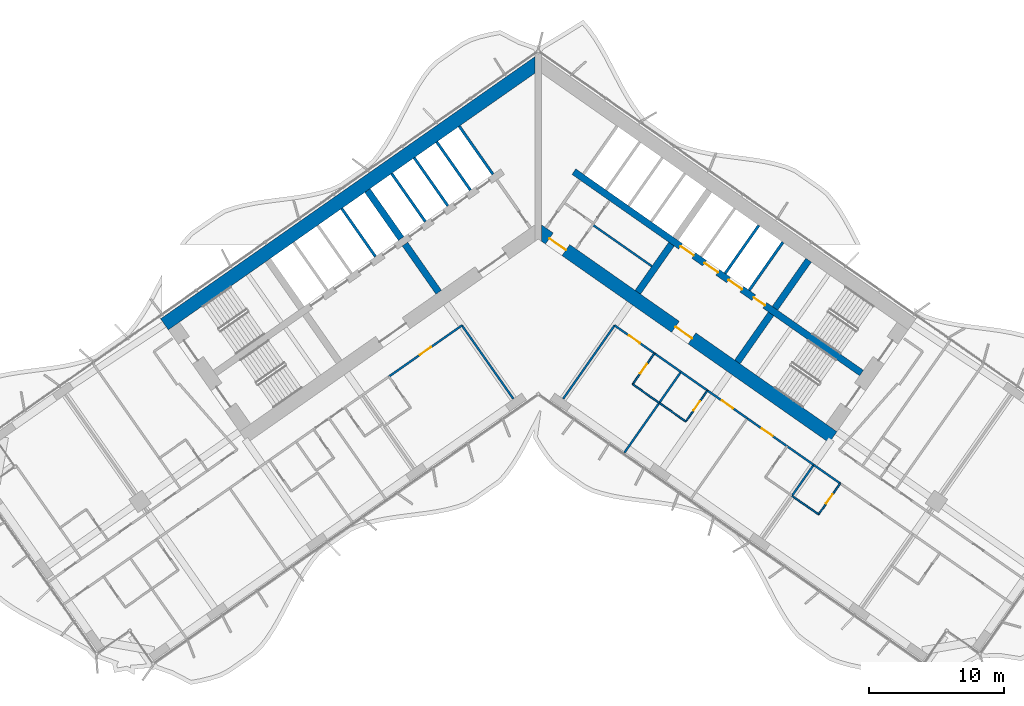
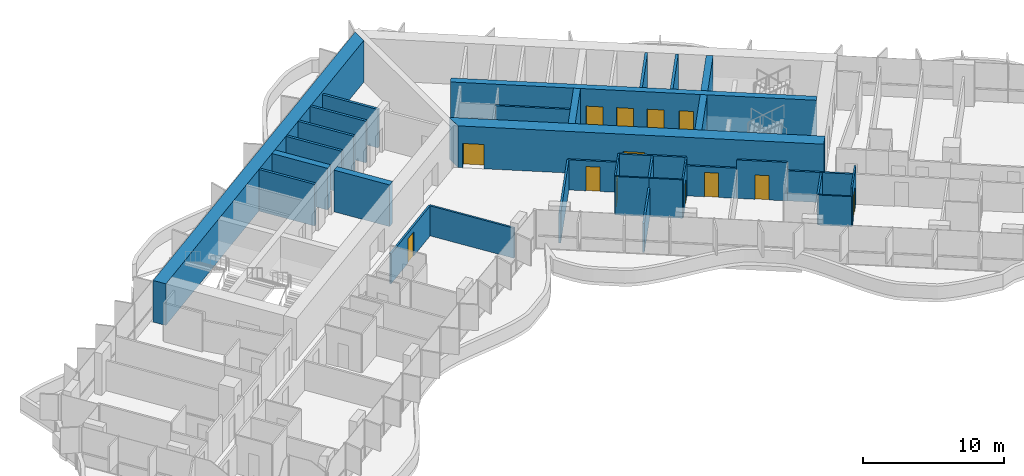
# One storey, part 14 of 23: 35 walls, 13 doors, 13 openings.
"""IFC4 building model written with IfcOpenShell, lengths in metres."""

from ifc_helpers import new_model, si_unit, direction, frame, frame_2d, origin, place, context, subcontext, project, spatial, polyline, rectangle, outline, extrude, material, layer, layer_set, type_object, element, fill, save


model = new_model("IFC4")

# Units and contexts
model_context = context("Model", 3, precision=1e-05, world=origin(), true_north=direction((0.0, 1.0)))
body_context = subcontext(model_context, "Body", "Model", "MODEL_VIEW")
ifc_project = project(units=[si_unit("LENGTHUNIT", "METRE"), si_unit("AREAUNIT", "SQUARE_METRE"), si_unit("VOLUMEUNIT", "CUBIC_METRE"), si_unit("PLANEANGLEUNIT", "RADIAN"), si_unit("MASSUNIT", "GRAM", prefix="KILO")], contexts=[model_context])

# Site, building, storey
site_placement = place(None, origin())
site = spatial("IfcSite", under=ifc_project, at=site_placement, CompositionType="ELEMENT")
building_placement = place(site_placement, origin())
building = spatial("IfcBuilding", under=site, at=building_placement, Name="Tel Ilan Convention Tower", CompositionType="ELEMENT")
storey_placement = place(building_placement, frame((0.0, 0.0, 108.5)))
storey = spatial("IfcBuildingStorey", under=building, at=storey_placement, Name="L23", CompositionType="ELEMENT", Elevation=108.5)

# Walls
ifc_material_1 = material(Name="Gypsum Plasterboard on Steel Stud", Category="steel")
ifc_layer_1 = layer(ifc_material_1, 0.14990234375)
ifc_layer_set_1 = layer_set([ifc_layer_1], Name="Core Room Partition Wall 150 mm EI 60")
wall_type_1 = type_object("IfcWallType", Name="Core Room Partition Wall 150 mm EI 60", PredefinedType="PARTITIONING", material=ifc_layer_set_1)
wall_1_placement = place(storey_placement, frame((4.03271484375, -0.16845703125, 0.0), z_axis=(0.0, 0.0, 1.0), x_axis=(0.819146154531, -0.573584847705, 0.0)))
element("IfcWall", 1, at=wall_1_placement, inside=storey, type_object=wall_type_1, Name="L23 core wall wc-h2", PredefinedType="PARTITIONING", context=body_context, shape_type="SweptSolid", body=[
    extrude(rectangle(XDim=5.349853515625, YDim=0.14990234375, at=frame_2d((2.6748046875, 0.0))), origin(), (0.0, 0.0, 1.0), 3.320068359375),
])
ifc_material_2 = material(Name="Concrete C30/37", Category="concrete")
ifc_layer_2 = layer(ifc_material_2, 0.199951171875)
ifc_layer_set_2 = layer_set([ifc_layer_2], Name="Core Service Room Wall 200 mm C30/37")
wall_type_2 = type_object("IfcWallType", Name="Core Service Room Wall 200 mm C30/37", PredefinedType="SOLIDWALL", material=ifc_layer_set_2)
wall_2_placement = place(storey_placement, frame((-3.355224609375, 3.5712890625, 0.0), z_axis=(0.0, 0.0, 1.0), x_axis=(-0.57356780395, 0.819158088694, 0.0)))
element("IfcWall", 2, at=wall_2_placement, inside=storey, type_object=wall_type_2, Name="L23 core wall apex-W-b", PredefinedType="SOLIDWALL", context=body_context, shape_type="SweptSolid", body=[
    extrude(rectangle(XDim=4.35009765625, YDim=0.199951171875, at=frame_2d((2.175048828125, 0.0))), origin(), (0.0, 0.0, 1.0), 3.320068359375),
])
ifc_material_3 = material(Name="Concrete C60/75", Category="concrete")
ifc_layer_3 = layer(ifc_material_3, 1.0)
ifc_layer_set_3 = layer_set([ifc_layer_3], Name="Core Shear Wall 1000 mm C60/75")
wall_type_3 = type_object("IfcWallType", Name="Core Shear Wall 1000 mm C60/75", PredefinedType="SHEAR", material=ifc_layer_set_3)
wall_3_placement = place(storey_placement, frame((0.036865234375, 11.8671875, 0.0), z_axis=(0.0, 0.0, 1.0), x_axis=(-0.819155306259, -0.573571777746, 0.0)))
element("IfcWall", 3, at=wall_3_placement, inside=storey, type_object=wall_type_3, Name="L23 core wall W-back", PredefinedType="SHEAR", context=body_context, shape_type="SweptSolid", body=[
    extrude(outline(polyline([(33.8369140625, 0.5), (0.7001953125, 0.499755859375), (0.0, -0.5), (33.8369140625, -0.5), (33.8369140625, 0.5)])), origin(), (0.0, 0.0, 1.0), 3.60009765625),
])

# Wall, openings, doors
wall_4_placement = place(storey_placement, frame((-0.036865234375, -0.584716796875, 0.0), z_axis=(0.0, 0.0, 1.0), x_axis=(0.819157152511, -0.573569140985, 0.0)))
wall_4 = element("IfcWall", 4, at=wall_4_placement, inside=storey, type_object=wall_type_3, Name="L23 core wall E-front", PredefinedType="SHEAR", context=body_context, shape_type="SweptSolid", body=[
    extrude(outline(polyline([(26.69482421875, 0.499755859375), (0.0, 0.5), (0.7001953125, -0.499755859375), (26.69482421875, -0.500244140625), (26.69482421875, 0.499755859375)])), origin(), (0.0, 0.0, 1.0), 3.60009765625),
])
opening_1_placement = place(wall_4_placement, frame((1.044921875, 0.0, 0.0)))
opening_1 = element("IfcOpeningElement", 5, at=opening_1_placement, cuts=wall_4, Name="Opening CD1903", PredefinedType="OPENING", context=body_context, shape_type="SweptSolid", body=[
    extrude(rectangle(XDim=1.5, YDim=2.10009765625, at=frame_2d((0.75, 1.050048828125))), frame((0.0, 0.510009765625, 0.0), z_axis=(0.0, -1.0, 0.0), x_axis=(1.0, 0.0, 0.0)), (0.0, 0.0, 1.0), 1.02001953125),
])
opening_2_placement = place(wall_4_placement, frame((12.44482421875, 0.0, 0.0)))
opening_2 = element("IfcOpeningElement", 6, at=opening_2_placement, cuts=wall_4, Name="Opening CD1904", PredefinedType="OPENING", context=body_context, shape_type="SweptSolid", body=[
    extrude(rectangle(XDim=1.5, YDim=2.10009765625, at=frame_2d((0.75, 1.050048828125))), frame((0.0, 0.510009765625, 0.0), z_axis=(0.0, -1.0, 0.0), x_axis=(1.0, 0.0, 0.0)), (0.0, 0.0, 1.0), 1.02001953125),
])
ifc_material_4 = material(Name="Glazed Aluminium Door Leaf", Category="aluminium")
door_type_1 = type_object("IfcDoorType", Name="Lobby Opening Door 1500 x 2100 FD60S", OperationType="NOTDEFINED", PredefinedType="DOOR", material=ifc_material_4)
door_1_placement = place(opening_2_placement, origin())
door_1 = element("IfcDoor", 7, at=door_1_placement, inside=storey, type_object=door_type_1, Name="Firefighting Lobby door", OperationType="DOUBLE_DOOR_SINGLE_SWING", OverallHeight=2.10009765625, OverallWidth=1.5, PredefinedType="DOOR", context=body_context, shape_type="SweptSolid", body=[
    extrude(rectangle(XDim=1.5, YDim=2.10009765625, at=frame_2d((0.75, 1.050048828125))), frame((0.0, 0.02490234375, 0.0), z_axis=(0.0, -1.0, 0.0), x_axis=(1.0, 0.0, 0.0)), (0.0, 0.0, 1.0), 0.050048828125),
])
fill(opening_2, door_1)
ifc_material_5 = material(Name="Laminated Timber Door Leaf", Category="wood")
door_type_2 = type_object("IfcDoorType", Name="Toilet Door 1500 x 2100 FD30S", OperationType="NOTDEFINED", PredefinedType="DOOR", material=ifc_material_5)
door_2_placement = place(opening_1_placement, origin())
door_2 = element("IfcDoor", 8, at=door_2_placement, inside=storey, type_object=door_type_2, Name="WC Lobby door", OperationType="SINGLE_SWING_RIGHT", OverallHeight=2.10009765625, OverallWidth=1.5, PredefinedType="DOOR", context=body_context, shape_type="SweptSolid", body=[
    extrude(rectangle(XDim=1.5, YDim=2.10009765625, at=frame_2d((0.75, 1.050048828125))), frame((0.0, 0.02490234375, 0.0), z_axis=(0.0, -1.0, 0.0), x_axis=(1.0, 0.0, 0.0)), (0.0, 0.0, 1.0), 0.050048828125),
])
fill(opening_1, door_2)

# Walls
ifc_material_6 = material(Name="Concrete C60/75", Category="concrete")
ifc_layer_4 = layer(ifc_material_6, 0.5)
ifc_layer_set_4 = layer_set([ifc_layer_4], Name="Core Shear Wall 500 mm C60/75")
wall_type_4 = type_object("IfcWallType", Name="Core Shear Wall 500 mm C60/75", PredefinedType="SHEAR", material=ifc_layer_set_4)
wall_5_placement = place(storey_placement, frame((-7.372314453125, -5.162109375, 0.0), z_axis=(0.0, 0.0, 1.0), x_axis=(-0.573594173421, 0.819139624372, 0.0)))
element("IfcWall", 9, at=wall_5_placement, inside=storey, type_object=wall_type_4, Name="L23 core wall W-cross1-1", PredefinedType="SHEAR", context=body_context, shape_type="SweptSolid", body=[
    extrude(outline(polyline([(4.349853515625, 0.25), (0.0, 0.250244140625), (0.0, -0.25), (4.349853515625, -0.25), (4.349853515625, 0.25)])), origin(), (0.0, 0.0, 1.0), 3.60009765625),
])
wall_6_placement = place(storey_placement, frame((-10.154296875, -1.189208984375, 0.0), z_axis=(0.0, 0.0, 1.0), x_axis=(-0.573594173421, 0.819139624372, 0.0)))
element("IfcWall", 10, at=wall_6_placement, inside=storey, type_object=wall_type_4, Name="L23 core wall W-cross1-2", PredefinedType="SHEAR", context=body_context, shape_type="SweptSolid", body=[
    extrude(outline(polyline([(4.349853515625, -0.25), (4.349853515625, 0.25), (-0.000244140625, 0.25), (-0.000244140625, -0.25), (4.349853515625, -0.25)])), origin(), (0.0, 0.0, 1.0), 3.60009765625),
])
wall_7_placement = place(storey_placement, frame((7.372314453125, -5.162109375, 0.0), z_axis=(0.0, 0.0, 1.0), x_axis=(0.573594173421, 0.819139624372, 0.0)))
element("IfcWall", 11, at=wall_7_placement, inside=storey, type_object=wall_type_4, Name="L23 core wall E-cross1-1", PredefinedType="SHEAR", context=body_context, shape_type="SweptSolid", body=[
    extrude(outline(polyline([(0.0, 0.25), (0.0, -0.250244140625), (4.349853515625, -0.25), (4.349853515625, 0.25), (0.0, 0.25)])), origin(), (0.0, 0.0, 1.0), 3.60009765625),
])
wall_8_placement = place(storey_placement, frame((14.74462890625, -10.324462890625, 0.0), z_axis=(0.0, 0.0, 1.0), x_axis=(0.57356780395, 0.819158088694, 0.0)))
element("IfcWall", 12, at=wall_8_placement, inside=storey, type_object=wall_type_4, Name="L23 core wall E-cross2-1", PredefinedType="SHEAR", context=body_context, shape_type="SweptSolid", body=[
    extrude(outline(polyline([(0.0, 0.25), (0.0, -0.25), (4.35009765625, -0.250244140625), (4.35009765625, 0.25), (0.0, 0.25)])), origin(), (0.0, 0.0, 1.0), 3.60009765625),
])
wall_9_placement = place(storey_placement, frame((17.526611328125, -6.3515625, 0.0), z_axis=(0.0, 0.0, 1.0), x_axis=(0.573530143085, 0.819184457233, 0.0)))
element("IfcWall", 13, at=wall_9_placement, inside=storey, type_object=wall_type_4, Name="L23 core wall E-cross2-2", PredefinedType="SHEAR", context=body_context, shape_type="SweptSolid", body=[
    extrude(outline(polyline([(4.35009765625, -0.250244140625), (4.35009765625, 0.249755859375), (0.0, 0.25), (0.0, -0.25), (4.35009765625, -0.250244140625)])), origin(), (0.0, 0.0, 1.0), 3.60009765625),
])

# Wall, openings, doors
wall_10_placement = place(storey_placement, frame((2.638427734375, 3.76806640625, 0.0), z_axis=(0.0, 0.0, 1.0), x_axis=(0.819148977158, -0.573580816643, 0.0)))
wall_10 = element("IfcWall", 14, at=wall_10_placement, inside=storey, type_object=wall_type_4, Name="L23 core wall E-spine", PredefinedType="SHEAR", context=body_context, shape_type="SweptSolid", body=[
    extrude(outline(polyline([(0.0, 0.25), (0.0, -0.25), (26.0, -0.249755859375), (26.0, 0.250244140625), (0.0, 0.25)])), origin(), (0.0, 0.0, 1.0), 3.60009765625),
])
opening_3_placement = place(wall_10_placement, frame((9.637451171875, 0.0, 0.0)))
opening_3 = element("IfcOpeningElement", 15, at=opening_3_placement, cuts=wall_10, Name="Opening LD1901", PredefinedType="OPENING", context=body_context, shape_type="SweptSolid", body=[
    extrude(rectangle(XDim=1.199951171875, YDim=2.10009765625, at=frame_2d((0.60009765625, 1.050048828125))), frame((0.0, 0.260009765625, 0.0), z_axis=(0.0, -1.0, 0.0), x_axis=(1.0, 0.0, 0.0)), (0.0, 0.0, 1.0), 0.52001953125),
])
opening_4_placement = place(wall_10_placement, frame((11.8125, 0.0, 0.0)))
opening_4 = element("IfcOpeningElement", 16, at=opening_4_placement, cuts=wall_10, Name="Opening LD1902", PredefinedType="OPENING", context=body_context, shape_type="SweptSolid", body=[
    extrude(rectangle(XDim=1.199951171875, YDim=2.10009765625, at=frame_2d((0.60009765625, 1.050048828125))), frame((0.0, 0.260009765625, 0.0), z_axis=(0.0, -1.0, 0.0), x_axis=(1.0, 0.0, 0.0)), (0.0, 0.0, 1.0), 0.52001953125),
])
opening_5_placement = place(wall_10_placement, frame((13.987548828125, 0.0, 0.0)))
opening_5 = element("IfcOpeningElement", 17, at=opening_5_placement, cuts=wall_10, Name="Opening LD1903", PredefinedType="OPENING", context=body_context, shape_type="SweptSolid", body=[
    extrude(rectangle(XDim=1.199951171875, YDim=2.10009765625, at=frame_2d((0.60009765625, 1.050048828125))), frame((0.0, 0.260009765625, 0.0), z_axis=(0.0, -1.0, 0.0), x_axis=(1.0, 0.0, 0.0)), (0.0, 0.0, 1.0), 0.52001953125),
])
opening_6_placement = place(wall_10_placement, frame((16.262451171875, 0.0, 0.0)))
opening_6 = element("IfcOpeningElement", 18, at=opening_6_placement, cuts=wall_10, Name="Opening CD1907", PredefinedType="OPENING", context=body_context, shape_type="SweptSolid", body=[
    extrude(rectangle(XDim=1.0, YDim=2.10009765625, at=frame_2d((0.5, 1.050048828125))), frame((0.0, 0.260009765625, 0.0), z_axis=(0.0, -1.0, 0.0), x_axis=(1.0, 0.0, 0.0)), (0.0, 0.0, 1.0), 0.52001953125),
])
ifc_material_7 = material(Name="Stainless Steel Sliding Door Leaf", Category="steel")
door_type_3 = type_object("IfcDoorType", Name="Lift Landing Door 1200 x 2100 FD120", OperationType="NOTDEFINED", PredefinedType="DOOR", material=ifc_material_7)
door_3_placement = place(opening_3_placement, origin())
door_3 = element("IfcDoor", 19, at=door_3_placement, inside=storey, type_object=door_type_3, Name="Lift FL1 landing door", OperationType="SLIDING_TO_LEFT", OverallHeight=2.10009765625, OverallWidth=1.199951171875, PredefinedType="DOOR", context=body_context, shape_type="SweptSolid", body=[
    extrude(rectangle(XDim=1.199951171875, YDim=2.10009765625, at=frame_2d((0.60009765625, 1.050048828125))), frame((0.0, 0.02490234375, 0.0), z_axis=(0.0, -1.0, 0.0), x_axis=(1.0, 0.0, 0.0)), (0.0, 0.0, 1.0), 0.050048828125),
])
fill(opening_3, door_3)
door_4_placement = place(opening_4_placement, origin())
door_4 = element("IfcDoor", 20, at=door_4_placement, inside=storey, type_object=door_type_3, Name="Lift FL2 landing door", OperationType="SLIDING_TO_RIGHT", OverallHeight=2.10009765625, OverallWidth=1.199951171875, PredefinedType="DOOR", context=body_context, shape_type="SweptSolid", body=[
    extrude(rectangle(XDim=1.199951171875, YDim=2.10009765625, at=frame_2d((0.60009765625, 1.050048828125))), frame((0.0, 0.02490234375, 0.0), z_axis=(0.0, -1.0, 0.0), x_axis=(1.0, 0.0, 0.0)), (0.0, 0.0, 1.0), 0.050048828125),
])
fill(opening_4, door_4)
door_5_placement = place(opening_5_placement, origin())
door_5 = element("IfcDoor", 21, at=door_5_placement, inside=storey, type_object=door_type_3, Name="Lift FL3 landing door", OperationType="SLIDING_TO_LEFT", OverallHeight=2.10009765625, OverallWidth=1.199951171875, PredefinedType="DOOR", context=body_context, shape_type="SweptSolid", body=[
    extrude(rectangle(XDim=1.199951171875, YDim=2.10009765625, at=frame_2d((0.60009765625, 1.050048828125))), frame((0.0, 0.02490234375, 0.0), z_axis=(0.0, -1.0, 0.0), x_axis=(1.0, 0.0, 0.0)), (0.0, 0.0, 1.0), 0.050048828125),
])
fill(opening_5, door_5)
ifc_material_8 = material(Name="Galvanised Steel Door Leaf", Category="steel")
door_type_4 = type_object("IfcDoorType", Name="Service Room Door 1000 x 2100 FD60", OperationType="NOTDEFINED", PredefinedType="DOOR", material=ifc_material_8)
door_6_placement = place(opening_6_placement, origin())
door_6 = element("IfcDoor", 22, at=door_6_placement, inside=storey, type_object=door_type_4, Name="Plant Room door", OperationType="SINGLE_SWING_RIGHT", OverallHeight=2.10009765625, OverallWidth=1.0, PredefinedType="DOOR", context=body_context, shape_type="SweptSolid", body=[
    extrude(rectangle(XDim=1.0, YDim=2.10009765625, at=frame_2d((0.5, 1.050048828125))), frame((0.0, 0.02490234375, 0.0), z_axis=(0.0, -1.0, 0.0), x_axis=(1.0, 0.0, 0.0)), (0.0, 0.0, 1.0), 0.050048828125),
])
fill(opening_6, door_6)

# Wall, opening, door
ifc_material_9 = material(Name="Plasterboard on Steel Studs", Category="steel")
ifc_layer_5 = layer(ifc_material_9, 0.14990234375)
ifc_layer_set_5 = layer_set([ifc_layer_5], Name="Fire-rated Partition 150 EI 60")
wall_type_5 = type_object("IfcWallType", Name="Fire-rated Partition 150 EI 60", PredefinedType="PARTITIONING", material=ifc_layer_set_5)
wall_11_placement = place(storey_placement, frame((8.601318359375, -9.68505859375, 0.0), z_axis=(0.0, 0.0, 1.0), x_axis=(-0.819149096931, 0.573580645591, 0.0)))
wall_11 = element("IfcWall", 23, at=wall_11_placement, inside=storey, type_object=wall_type_5, Name="Partition 006", PredefinedType="PARTITIONING", context=body_context, shape_type="SweptSolid", body=[
    extrude(rectangle(XDim=3.600830078125, YDim=0.14990234375, at=frame_2d((1.80029296875, 0.0))), origin(), (0.0, 0.0, 1.0), 2.60009765625),
])
opening_7_placement = place(wall_11_placement, frame((1.301025390625, 0.0, 0.0)))
opening_7 = element("IfcOpeningElement", 24, at=opening_7_placement, cuts=wall_11, Name="Opening L21-020", PredefinedType="OPENING", context=body_context, shape_type="SweptSolid", body=[
    extrude(rectangle(XDim=1.0, YDim=2.10009765625, at=frame_2d((0.5, 1.050048828125))), frame((0.0, 0.0849609375, 0.0), z_axis=(0.0, -1.0, 0.0), x_axis=(1.0, 0.0, 0.0)), (0.0, 0.0, 1.0), 0.169921875),
])
ifc_material_10 = material(Name="Timber Door Leaf in Steel Frame", Category="steel")
door_type_5 = type_object("IfcDoorType", Name="Hotel Room Entrance Fire Door 1000x2100", OperationType="NOTDEFINED", PredefinedType="DOOR", material=ifc_material_10)
door_7_placement = place(opening_7_placement, origin())
door_7 = element("IfcDoor", 25, at=door_7_placement, inside=storey, type_object=door_type_5, Name="Door L21-020", OperationType="SINGLE_SWING_RIGHT", OverallHeight=2.10009765625, OverallWidth=1.0, PredefinedType="DOOR", context=body_context, shape_type="SweptSolid", body=[
    extrude(rectangle(XDim=1.0, YDim=2.10009765625, at=frame_2d((0.5, 1.050048828125))), frame((0.0, 0.02490234375, 0.0), z_axis=(0.0, -1.0, 0.0), x_axis=(1.0, 0.0, 0.0)), (0.0, 0.0, 1.0), 0.050048828125),
])
fill(opening_7, door_7)

# Wall
wall_12_placement = place(storey_placement, frame((10.568115234375, -11.062255859375, 0.0), z_axis=(0.0, 0.0, 1.0), x_axis=(-0.819146032251, 0.573585022335, 0.0)))
element("IfcWall", 26, at=wall_12_placement, inside=storey, type_object=wall_type_5, Name="Partition 007", PredefinedType="PARTITIONING", context=body_context, shape_type="SweptSolid", body=[
    extrude(rectangle(XDim=2.404052734375, YDim=0.14990234375, at=frame_2d((1.2021484375, 0.0))), origin(), (0.0, 0.0, 1.0), 3.320068359375),
])

# Wall, opening, door
wall_13_placement = place(storey_placement, frame((15.483154296875, -14.503662109375, 0.0), z_axis=(0.0, 0.0, 1.0), x_axis=(-0.819145961204, 0.573585123798, 0.0)))
wall_13 = element("IfcWall", 27, at=wall_13_placement, inside=storey, type_object=wall_type_5, Name="Partition 008", PredefinedType="PARTITIONING", context=body_context, shape_type="SweptSolid", body=[
    extrude(rectangle(XDim=3.60302734375, YDim=0.14990234375, at=frame_2d((1.801513671875, 0.0))), origin(), (0.0, 0.0, 1.0), 2.60009765625),
])
opening_8_placement = place(wall_13_placement, frame((1.302001953125, 0.0, 0.0)))
opening_8 = element("IfcOpeningElement", 28, at=opening_8_placement, cuts=wall_13, Name="Opening L21-022", PredefinedType="OPENING", context=body_context, shape_type="SweptSolid", body=[
    extrude(rectangle(XDim=1.0, YDim=2.10009765625, at=frame_2d((0.5, 1.050048828125))), frame((0.0, 0.0849609375, 0.0), z_axis=(0.0, -1.0, 0.0), x_axis=(1.0, 0.0, 0.0)), (0.0, 0.0, 1.0), 0.169921875),
])
door_8_placement = place(opening_8_placement, origin())
door_8 = element("IfcDoor", 29, at=door_8_placement, inside=storey, type_object=door_type_5, Name="Door L21-022", OperationType="SINGLE_SWING_RIGHT", OverallHeight=2.10009765625, OverallWidth=1.0, PredefinedType="DOOR", context=body_context, shape_type="SweptSolid", body=[
    extrude(rectangle(XDim=1.0, YDim=2.10009765625, at=frame_2d((0.5, 1.050048828125))), frame((0.0, 0.02490234375, 0.0), z_axis=(0.0, -1.0, 0.0), x_axis=(1.0, 0.0, 0.0)), (0.0, 0.0, 1.0), 0.050048828125),
])
fill(opening_8, door_8)

# Wall
wall_14_placement = place(storey_placement, frame((12.5341796875, -12.438720703125, 0.0), z_axis=(0.0, 0.0, 1.0), x_axis=(-0.819193748, 0.57351687267, 0.0)))
element("IfcWall", 30, at=wall_14_placement, inside=storey, type_object=wall_type_5, Name="Partition 009", PredefinedType="PARTITIONING", context=body_context, shape_type="SweptSolid", body=[
    extrude(rectangle(XDim=2.40380859375, YDim=0.14990234375, at=frame_2d((1.201904296875, 0.0))), origin(), (0.0, 0.0, 1.0), 3.320068359375),
])

# Wall, opening, door
wall_15_placement = place(storey_placement, frame((18.43115234375, -16.568115234375, 0.0), z_axis=(0.0, 0.0, 1.0), x_axis=(-0.819145961204, 0.573585123798, 0.0)))
wall_15 = element("IfcWall", 31, at=wall_15_placement, inside=storey, type_object=wall_type_5, Name="Partition 010", PredefinedType="PARTITIONING", context=body_context, shape_type="SweptSolid", body=[
    extrude(rectangle(XDim=3.60302734375, YDim=0.14990234375, at=frame_2d((1.801513671875, 0.0))), origin(), (0.0, 0.0, 1.0), 3.320068359375),
])
opening_9_placement = place(wall_15_placement, frame((1.301025390625, 0.0, 0.0)))
opening_9 = element("IfcOpeningElement", 32, at=opening_9_placement, cuts=wall_15, Name="Opening L21-024", PredefinedType="OPENING", context=body_context, shape_type="SweptSolid", body=[
    extrude(rectangle(XDim=1.0, YDim=2.10009765625, at=frame_2d((0.5, 1.050048828125))), frame((0.0, 0.0849609375, 0.0), z_axis=(0.0, -1.0, 0.0), x_axis=(1.0, 0.0, 0.0)), (0.0, 0.0, 1.0), 0.169921875),
])
door_9_placement = place(opening_9_placement, origin())
door_9 = element("IfcDoor", 33, at=door_9_placement, inside=storey, type_object=door_type_5, Name="Door L21-024", OperationType="SINGLE_SWING_RIGHT", OverallHeight=2.10009765625, OverallWidth=1.0, PredefinedType="DOOR", context=body_context, shape_type="SweptSolid", body=[
    extrude(rectangle(XDim=1.0, YDim=2.10009765625, at=frame_2d((0.5, 1.050048828125))), frame((0.0, 0.02490234375, 0.0), z_axis=(0.0, -1.0, 0.0), x_axis=(1.0, 0.0, 0.0)), (0.0, 0.0, 1.0), 0.050048828125),
])
fill(opening_9, door_9)

# Walls
for number, where, z_axis, x_axis, name in (
    (34, (20.39794921875, -17.9453125, 0.0), (0.0, 0.0, 1.0), (-0.819146032251, 0.573585022335, 0.0), "Partition 011"),
    (35, (22.364013671875, -19.32177734375, 0.0), (0.0, 0.0, 1.0), (-0.819146032251, 0.573585022335, 0.0), "Partition 013"),
):
    element("IfcWall", number, at=place(storey_placement, frame(where, z_axis=z_axis, x_axis=x_axis)), inside=storey, type_object=wall_type_5, Name=name, PredefinedType="PARTITIONING", context=body_context, shape_type="SweptSolid", body=[
        extrude(rectangle(XDim=2.404052734375, YDim=0.14990234375, at=frame_2d((1.2021484375, 0.0))), origin(), (0.0, 0.0, 1.0), 2.60009765625),
    ])

# Wall, opening, door
wall_16_placement = place(storey_placement, frame((-5.651611328125, -7.61962890625, 0.0), z_axis=(0.0, 0.0, 1.0), x_axis=(-0.819155459934, -0.573571558274, 0.0)))
wall_16 = element("IfcWall", 36, at=wall_16_placement, inside=storey, type_object=wall_type_5, Name="Partition 022", PredefinedType="PARTITIONING", context=body_context, shape_type="SweptSolid", body=[
    extrude(rectangle(XDim=6.60107421875, YDim=0.14990234375, at=frame_2d((3.300537109375, 0.0))), origin(), (0.0, 0.0, 1.0), 2.60009765625),
])
opening_10_placement = place(wall_16_placement, frame((2.800048828125, 0.0, 0.0)))
opening_10 = element("IfcOpeningElement", 37, at=opening_10_placement, cuts=wall_16, Name="Opening L21-002", PredefinedType="OPENING", context=body_context, shape_type="SweptSolid", body=[
    extrude(rectangle(XDim=1.0, YDim=2.10009765625, at=frame_2d((0.5, 1.050048828125))), frame((0.0, 0.0849609375, 0.0), z_axis=(0.0, -1.0, 0.0), x_axis=(1.0, 0.0, 0.0)), (0.0, 0.0, 1.0), 0.169921875),
])
door_10_placement = place(opening_10_placement, origin())
door_10 = element("IfcDoor", 38, at=door_10_placement, inside=storey, type_object=door_type_5, Name="Door L21-002", OperationType="SINGLE_SWING_LEFT", OverallHeight=2.10009765625, OverallWidth=1.0, PredefinedType="DOOR", context=body_context, shape_type="SweptSolid", body=[
    extrude(rectangle(XDim=1.0, YDim=2.10009765625, at=frame_2d((0.5, 1.050048828125))), frame((0.0, 0.02490234375, 0.0), z_axis=(0.0, -1.0, 0.0), x_axis=(1.0, 0.0, 0.0)), (0.0, 0.0, 1.0), 0.050048828125),
])
fill(opening_10, door_10)

# Walls
wall_17_placement = place(storey_placement, frame((8.9599609375, -13.35546875, 0.0), z_axis=(0.0, 0.0, 1.0), x_axis=(-0.573564311442, -0.819160534108, 0.0)))
element("IfcWall", 39, at=wall_17_placement, inside=storey, type_object=wall_type_5, Name="Partition 046", PredefinedType="PARTITIONING", context=body_context, shape_type="SweptSolid", body=[
    extrude(rectangle(XDim=4.499267578125, YDim=0.14990234375, at=frame_2d((2.24951171875, 0.0))), origin(), (0.0, 0.0, 1.0), 2.5),
])
wall_18_placement = place(storey_placement, frame((1.848876953125, -13.050537109375, 0.0), z_axis=(0.0, 0.0, 1.0), x_axis=(0.57357355307, 0.819154063177, 0.0)))
element("IfcWall", 40, at=wall_18_placement, inside=storey, type_object=wall_type_5, Name="Partition 047", PredefinedType="PARTITIONING", context=body_context, shape_type="SweptSolid", body=[
    extrude(rectangle(XDim=6.6298828125, YDim=0.14990234375, at=frame_2d((3.31494140625, 0.0))), origin(), (0.0, 0.0, 1.0), 2.60009765625),
])
wall_19_placement = place(storey_placement, frame((10.566650390625, -11.06103515625, 0.0), z_axis=(0.0, 0.0, 1.0), x_axis=(-0.573608623498, -0.819129505664, 0.0)))
element("IfcWall", 41, at=wall_19_placement, inside=storey, type_object=wall_type_5, Name="Partition 048", PredefinedType="PARTITIONING", context=body_context, shape_type="SweptSolid", body=[
    extrude(rectangle(XDim=2.800048828125, YDim=0.14990234375, at=frame_2d((1.39990234375, 0.0))), origin(), (0.0, 0.0, 1.0), 3.320068359375),
])
wall_20_placement = place(storey_placement, frame((20.396484375, -17.944091796875, 0.0), z_axis=(0.0, 0.0, 1.0), x_axis=(-0.57364959175, -0.819100815459, 0.0)))
element("IfcWall", 42, at=wall_20_placement, inside=storey, type_object=wall_type_5, Name="Partition 055", PredefinedType="PARTITIONING", context=body_context, shape_type="SweptSolid", body=[
    extrude(rectangle(XDim=2.800048828125, YDim=0.14990234375, at=frame_2d((1.39990234375, 0.0))), origin(), (0.0, 0.0, 1.0), 2.60009765625),
])
wall_21_placement = place(storey_placement, frame((-1.848876953125, -13.050537109375, 0.0), z_axis=(0.0, 0.0, 1.0), x_axis=(-0.573575988258, 0.819152358047, 0.0)))
element("IfcWall", 43, at=wall_21_placement, inside=storey, type_object=wall_type_5, Name="Partition 062", PredefinedType="PARTITIONING", context=body_context, shape_type="SweptSolid", body=[
    extrude(rectangle(XDim=6.632080078125, YDim=0.14990234375, at=frame_2d((3.31591796875, 0.0))), origin(), (0.0, 0.0, 1.0), 2.60009765625),
])
ifc_material_11 = material(Name="Concrete C30/37", Category="concrete")
ifc_layer_6 = layer(ifc_material_11, 0.199951171875)
ifc_layer_set_6 = layer_set([ifc_layer_6], Name="Lift Shaft Wall 200 mm C30/37")
wall_type_6 = type_object("IfcWallType", Name="Lift Shaft Wall 200 mm C30/37", PredefinedType="SOLIDWALL", material=ifc_layer_set_6)
wall_22_placement = place(storey_placement, frame((-5.0244140625, 2.402587890625, 0.0), z_axis=(0.0, 0.0, 1.0), x_axis=(-0.573530143085, 0.819184457233, 0.0)))
element("IfcWall", 44, at=wall_22_placement, inside=storey, type_object=wall_type_6, Name="L23 core wall bank-W1-p0", PredefinedType="SOLIDWALL", context=body_context, shape_type="SweptSolid", body=[
    extrude(rectangle(XDim=4.35009765625, YDim=0.199951171875, at=frame_2d((2.175048828125, 0.0))), origin(), (0.0, 0.0, 1.0), 3.60009765625),
])
for number, where, z_axis, x_axis, name in (
    (45, (-6.693359375, 1.234130859375, 0.0), (0.0, 0.0, 1.0), (-0.573594173421, 0.819139624372, 0.0), "L23 core wall bank-W1-p1"),
    (46, (-8.3623046875, 0.0654296875, 0.0), (0.0, 0.0, 1.0), (-0.573594173421, 0.819139624372, 0.0), "L23 core wall bank-W1-p2"),
    (47, (-12.05859375, -2.52294921875, 0.0), (0.0, 0.0, 1.0), (-0.573594173421, 0.819139624372, 0.0), "L23 core wall bank-W2-p0"),
):
    element("IfcWall", number, at=place(storey_placement, frame(where, z_axis=z_axis, x_axis=x_axis)), inside=storey, type_object=wall_type_6, Name=name, PredefinedType="SOLIDWALL", context=body_context, shape_type="SweptSolid", body=[
        extrude(rectangle(XDim=4.349853515625, YDim=0.199951171875, at=frame_2d((2.1748046875, 0.0))), origin(), (0.0, 0.0, 1.0), 3.60009765625),
    ])
wall_23_placement = place(storey_placement, frame((13.84033203125, -3.7705078125, 0.0), z_axis=(0.0, 0.0, 1.0), x_axis=(0.57356780395, 0.819158088694, 0.0)))
element("IfcWall", 48, at=wall_23_placement, inside=storey, type_object=wall_type_6, Name="L23 core wall bank-E2-p1", PredefinedType="SOLIDWALL", context=body_context, shape_type="SweptSolid", body=[
    extrude(rectangle(XDim=4.35009765625, YDim=0.199951171875, at=frame_2d((2.175048828125, 0.0))), origin(), (0.0, 0.0, 1.0), 3.60009765625),
])
wall_24_placement = place(storey_placement, frame((15.6220703125, -5.017822265625, 0.0), z_axis=(0.0, 0.0, 1.0), x_axis=(0.573594173421, 0.819139624372, 0.0)))
element("IfcWall", 49, at=wall_24_placement, inside=storey, type_object=wall_type_6, Name="L23 core wall bank-E2-p2", PredefinedType="SOLIDWALL", context=body_context, shape_type="SweptSolid", body=[
    extrude(rectangle(XDim=4.349853515625, YDim=0.199951171875, at=frame_2d((2.1748046875, 0.0))), origin(), (0.0, 0.0, 1.0), 3.60009765625),
])

# Wall, opening, door
ifc_material_12 = material(Name="Plasterboard on Steel Studs", Category="steel")
ifc_layer_7 = layer(ifc_material_12, 0.1201171875)
ifc_layer_set_7 = layer_set([ifc_layer_7], Name="Moisture-resistant Partition 120")
wall_type_7 = type_object("IfcWallType", Name="Moisture-resistant Partition 120", PredefinedType="PARTITIONING", material=ifc_layer_set_7)
wall_25_placement = place(storey_placement, frame((8.599853515625, -9.683837890625, 0.0), z_axis=(0.0, 0.0, 1.0), x_axis=(-0.573550118428, -0.819170471667, 0.0)))
wall_25 = element("IfcWall", 50, at=wall_25_placement, inside=storey, type_object=wall_type_7, Name="Partition 044", PredefinedType="PARTITIONING", context=body_context, shape_type="SweptSolid", body=[
    extrude(rectangle(XDim=2.800048828125, YDim=0.1201171875, at=frame_2d((1.39990234375, 0.0))), origin(), (0.0, 0.0, 1.0), 3.320068359375),
])
opening_11_placement = place(wall_25_placement, frame((0.97509765625, 0.0, 0.0)))
opening_11 = element("IfcOpeningElement", 51, at=opening_11_placement, cuts=wall_25, Name="Opening L21-019", PredefinedType="OPENING", context=body_context, shape_type="SweptSolid", body=[
    extrude(rectangle(XDim=0.85009765625, YDim=2.050048828125, at=frame_2d((0.425048828125, 1.02490234375))), frame((0.0, 0.070068359375, 0.0), z_axis=(0.0, -1.0, 0.0), x_axis=(1.0, 0.0, 0.0)), (0.0, 0.0, 1.0), 0.14013671875),
])
ifc_material_13 = material(Name="Timber Door Leaf in Steel Frame", Category="steel")
door_type_6 = type_object("IfcDoorType", Name="Bathroom Timber Door 850x2050", OperationType="NOTDEFINED", PredefinedType="DOOR", material=ifc_material_13)
door_11_placement = place(opening_11_placement, origin())
door_11 = element("IfcDoor", 52, at=door_11_placement, inside=storey, type_object=door_type_6, Name="Door L21-019", OperationType="SINGLE_SWING_LEFT", OverallHeight=2.050048828125, OverallWidth=0.85009765625, PredefinedType="DOOR", context=body_context, shape_type="SweptSolid", body=[
    extrude(rectangle(XDim=0.85009765625, YDim=2.050048828125, at=frame_2d((0.425048828125, 1.02490234375))), frame((0.0, 0.02490234375, 0.0), z_axis=(0.0, -1.0, 0.0), x_axis=(1.0, 0.0, 0.0)), (0.0, 0.0, 1.0), 0.050048828125),
])
fill(opening_11, door_11)

# Walls
for number, where, z_axis, x_axis, name in (
    (53, (6.993896484375, -11.97900390625, 0.0), (0.0, 0.0, 1.0), (0.819188907105, -0.573523787192, 0.0), "Partition 045"),
    (54, (8.9599609375, -13.35546875, 0.0), (0.0, 0.0, 1.0), (0.819107643868, -0.573639841501, 0.0), "Partition 049"),
):
    element("IfcWall", number, at=place(storey_placement, frame(where, z_axis=z_axis, x_axis=x_axis)), inside=storey, type_object=wall_type_7, Name=name, PredefinedType="PARTITIONING", context=body_context, shape_type="SweptSolid", body=[
        extrude(rectangle(XDim=2.39990234375, YDim=0.1201171875, at=frame_2d((1.199951171875, 0.0))), origin(), (0.0, 0.0, 1.0), 3.320068359375),
    ])

# Wall, opening, door
wall_26_placement = place(storey_placement, frame((10.92724609375, -14.73193359375, 0.0), z_axis=(0.0, 0.0, 1.0), x_axis=(0.573550118428, 0.819170471667, 0.0)))
wall_26 = element("IfcWall", 55, at=wall_26_placement, inside=storey, type_object=wall_type_7, Name="Partition 050", PredefinedType="PARTITIONING", context=body_context, shape_type="SweptSolid", body=[
    extrude(rectangle(XDim=2.800048828125, YDim=0.1201171875, at=frame_2d((1.39990234375, 0.0))), origin(), (0.0, 0.0, 1.0), 3.320068359375),
])
opening_12_placement = place(wall_26_placement, frame((0.97509765625, 0.0, 0.0)))
opening_12 = element("IfcOpeningElement", 56, at=opening_12_placement, cuts=wall_26, Name="Opening L21-021", PredefinedType="OPENING", context=body_context, shape_type="SweptSolid", body=[
    extrude(rectangle(XDim=0.85009765625, YDim=2.050048828125, at=frame_2d((0.425048828125, 1.02490234375))), frame((0.0, 0.070068359375, 0.0), z_axis=(0.0, -1.0, 0.0), x_axis=(1.0, 0.0, 0.0)), (0.0, 0.0, 1.0), 0.14013671875),
])
door_12_placement = place(opening_12_placement, origin())
door_12 = element("IfcDoor", 57, at=door_12_placement, inside=storey, type_object=door_type_6, Name="Door L21-021", OperationType="SINGLE_SWING_LEFT", OverallHeight=2.050048828125, OverallWidth=0.85009765625, PredefinedType="DOOR", context=body_context, shape_type="SweptSolid", body=[
    extrude(rectangle(XDim=0.85009765625, YDim=2.050048828125, at=frame_2d((0.425048828125, 1.02490234375))), frame((0.0, 0.02490234375, 0.0), z_axis=(0.0, -1.0, 0.0), x_axis=(1.0, 0.0, 0.0)), (0.0, 0.0, 1.0), 0.050048828125),
])
fill(opening_12, door_12)

# Wall
wall_27_placement = place(storey_placement, frame((18.789794921875, -20.238525390625, 0.0), z_axis=(0.0, 0.0, 1.0), x_axis=(0.819188907105, -0.573523787192, 0.0)))
element("IfcWall", 58, at=wall_27_placement, inside=storey, type_object=wall_type_7, Name="Partition 056", PredefinedType="PARTITIONING", context=body_context, shape_type="SweptSolid", body=[
    extrude(rectangle(XDim=2.39990234375, YDim=0.1201171875, at=frame_2d((1.199951171875, 0.0))), origin(), (0.0, 0.0, 1.0), 2.60009765625),
])

# Wall, opening, door
wall_28_placement = place(storey_placement, frame((20.757080078125, -21.61474609375, 0.0), z_axis=(0.0, 0.0, 1.0), x_axis=(0.57364959175, 0.819100815459, 0.0)))
wall_28 = element("IfcWall", 59, at=wall_28_placement, inside=storey, type_object=wall_type_7, Name="Partition 057", PredefinedType="PARTITIONING", context=body_context, shape_type="SweptSolid", body=[
    extrude(rectangle(XDim=2.800048828125, YDim=0.1201171875, at=frame_2d((1.39990234375, 0.0))), origin(), (0.0, 0.0, 1.0), 3.320068359375),
])
opening_13_placement = place(wall_28_placement, frame((0.97509765625, 0.0, 0.0)))
opening_13 = element("IfcOpeningElement", 60, at=opening_13_placement, cuts=wall_28, Name="Opening L21-025", PredefinedType="OPENING", context=body_context, shape_type="SweptSolid", body=[
    extrude(rectangle(XDim=0.85009765625, YDim=2.050048828125, at=frame_2d((0.425048828125, 1.02490234375))), frame((0.0, 0.070068359375, 0.0), z_axis=(0.0, -1.0, 0.0), x_axis=(1.0, 0.0, 0.0)), (0.0, 0.0, 1.0), 0.14013671875),
])
door_13_placement = place(opening_13_placement, origin())
door_13 = element("IfcDoor", 61, at=door_13_placement, inside=storey, type_object=door_type_6, Name="Door L21-025", OperationType="SINGLE_SWING_LEFT", OverallHeight=2.050048828125, OverallWidth=0.85009765625, PredefinedType="DOOR", context=body_context, shape_type="SweptSolid", body=[
    extrude(rectangle(XDim=0.85009765625, YDim=2.050048828125, at=frame_2d((0.425048828125, 1.02490234375))), frame((0.0, 0.02490234375, 0.0), z_axis=(0.0, -1.0, 0.0), x_axis=(1.0, 0.0, 0.0)), (0.0, 0.0, 1.0), 0.050048828125),
])
fill(opening_13, door_13)

save(model, "model.ifc")
